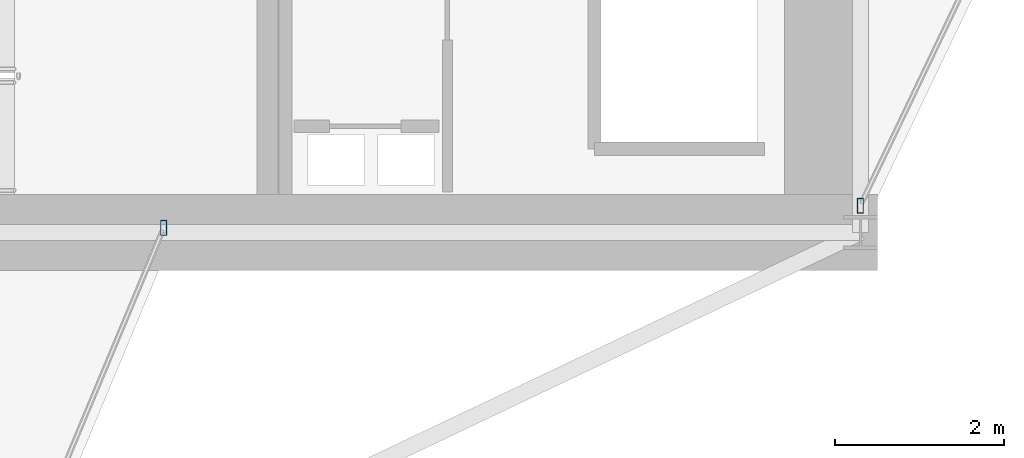
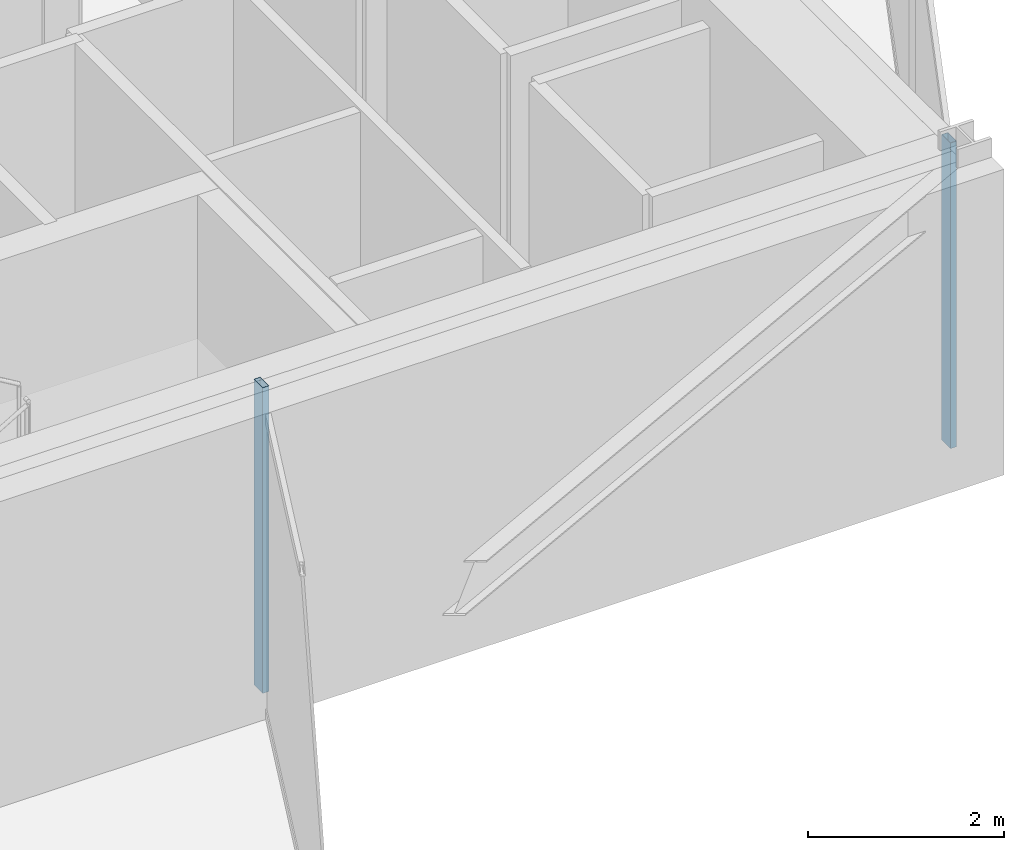
# One storey, part 12 of 25: 2 members, 2 elements without a shape of their own.
"""IFC4 building model written with IfcOpenShell, lengths in metres."""

from ifc_helpers import new_model, si_unit, direction, frame, origin, origin_2d, place, context, subcontext, project, spatial, hollow_rectangle, extrude, material, layer, layer_set, material_profile, profile_set, type_object, element, aggregate, save


model = new_model("IFC4")

# Units and contexts
model_context = context("Model", 3, precision=1e-05, world=origin(), true_north=direction((0.0, 1.0)))
body_context = subcontext(model_context, "Body", "Model", "MODEL_VIEW")
ifc_project = project(units=[si_unit("LENGTHUNIT", "METRE"), si_unit("AREAUNIT", "SQUARE_METRE"), si_unit("VOLUMEUNIT", "CUBIC_METRE"), si_unit("PLANEANGLEUNIT", "RADIAN"), si_unit("MASSUNIT", "GRAM", prefix="KILO")], contexts=[model_context])

# Site, building, storey
site_placement = place(None, origin())
site = spatial("IfcSite", under=ifc_project, at=site_placement, CompositionType="ELEMENT")
building_placement = place(site_placement, origin())
building = spatial("IfcBuilding", under=site, at=building_placement, Name="Veymaron Broadcast Tower", CompositionType="ELEMENT")
storey_placement = place(building_placement, frame((0.0, 0.0, 74.25)))
storey = spatial("IfcBuildingStorey", under=building, at=storey_placement, Name="L16", CompositionType="ELEMENT", Elevation=74.25)

# Curtain wall, member
ifc_material_1 = material(Name="Anodised aluminium AA 6063-T6 and laminated low-E dark glass", Category="aluminium")
ifc_layer = layer(ifc_material_1, 0.179931640625)
ifc_layer_set = layer_set([ifc_layer], Name="Anodised aluminium AA 6063-T6 and laminated low-E dark glass")
curtain_wall_type = type_object("IfcCurtainWallType", Name="CW-SYS-02", PredefinedType="NOTDEFINED", material=ifc_layer_set)
curtain_wall_1_placement = place(storey_placement, origin())
curtain_wall_1 = element("IfcCurtainWall", 1, at=curtain_wall_1_placement, inside=storey, type_object=curtain_wall_type, Name="L16 dark-glass curtain wall CW-L16-E2-1", PredefinedType="NOTDEFINED")
ifc_material_2 = material(Name="Anodised aluminium AA 6063-T6", Category="aluminium")
ifc_material_profile = material_profile(ifc_material_2, hollow_rectangle(XDim=0.074951171875, YDim=0.179931640625, WallThickness=0.0048828125, at=origin_2d()), Name="AL180X75X5")
ifc_profile_set = profile_set([ifc_material_profile], Name="Anodised aluminium AA 6063-T6")
member_type = type_object("IfcMemberType", Name="CW-MUL-02", PredefinedType="MULLION", material=ifc_profile_set)
member_1_placement = place(storey_placement, frame((54.59619140625, 16.31689453125, 0.0), z_axis=(0.0, 0.0, 1.0), x_axis=(1.0, 0.0, 0.0)))
member_1 = element("IfcMember", 2, at=member_1_placement, type_object=member_type, Name="CW-L16-E2-1 mullion 0", PredefinedType="MULLION", context=body_context, shape_type="SweptSolid", body=[
    extrude(hollow_rectangle(XDim=0.074951171875, YDim=0.179931640625, WallThickness=0.0048828125, at=origin_2d()), origin(), (0.0, 0.0, 1.0), 3.81005859375),
])
aggregate(curtain_wall_1, [member_1])

curtain_wall_2_placement = place(storey_placement, origin())
curtain_wall_2 = element("IfcCurtainWall", 3, at=curtain_wall_2_placement, inside=storey, type_object=curtain_wall_type, Name="L16 dark-glass curtain wall CW-L16-E20-1", PredefinedType="NOTDEFINED")
member_2_placement = place(storey_placement, frame((46.336669921875, 16.053955078125, 0.0), z_axis=(0.0, 0.0, 1.0), x_axis=(1.0, 0.0, 0.0)))
member_2 = element("IfcMember", 4, at=member_2_placement, type_object=member_type, Name="CW-L16-E20-1 mullion 2", PredefinedType="MULLION", context=body_context, shape_type="SweptSolid", body=[
    extrude(hollow_rectangle(XDim=0.074951171875, YDim=0.179931640625, WallThickness=0.0048828125, at=origin_2d()), origin(), (0.0, 0.0, 1.0), 3.81005859375),
])
aggregate(curtain_wall_2, [member_2])

save(model, "model.ifc")
